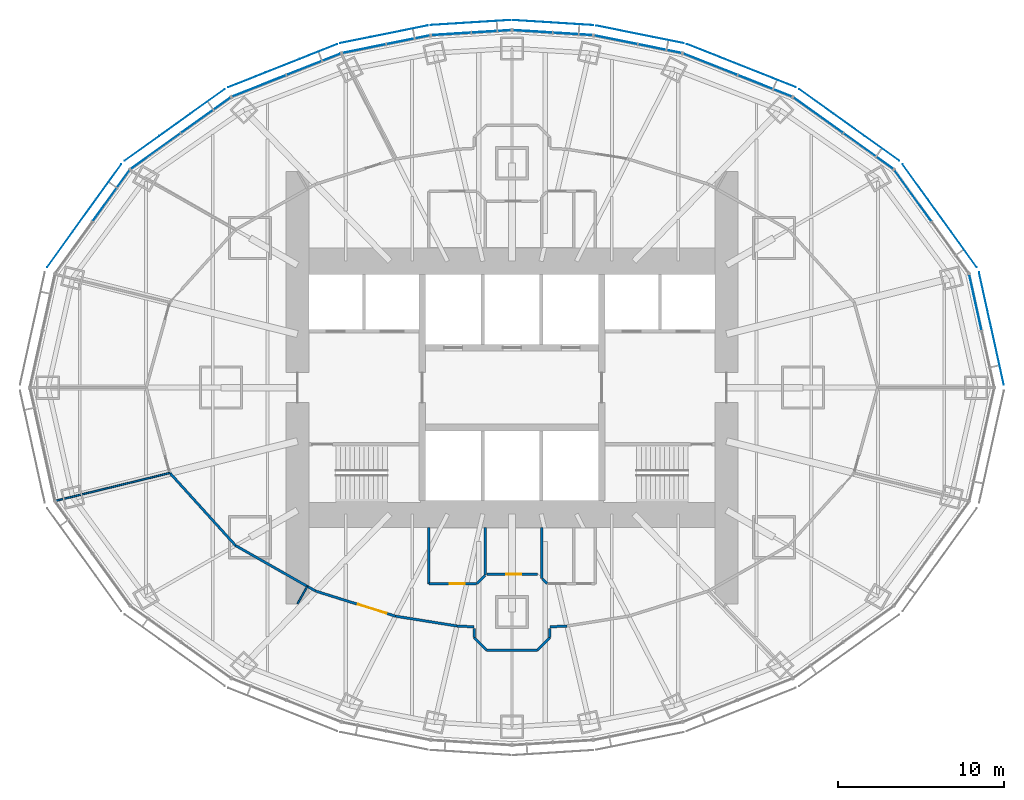
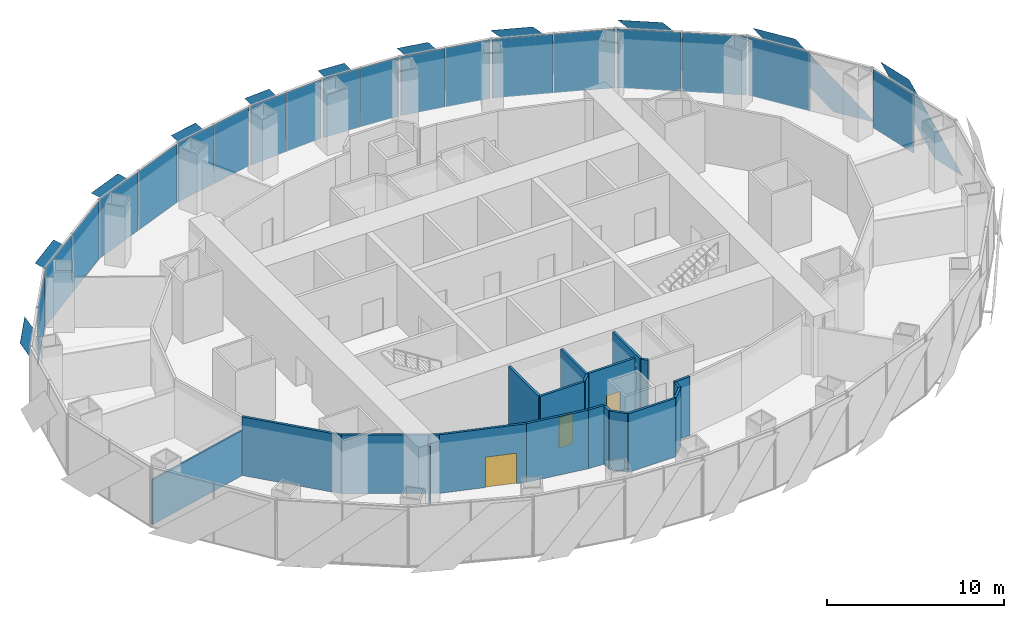
# One storey, part 10 of 17: 30 plates, 20 walls, 3 doors, 3 openings, 11 elements without a shape of their own.
"""IFC4 building model written with IfcOpenShell, lengths in metres."""

from ifc_helpers import new_model, si_unit, direction, frame, frame_2d, origin, origin_2d, place, context, subcontext, project, spatial, polyline, rectangle, outline, extrude, material, layer, layer_set, type_object, element, fill, aggregate, save


model = new_model("IFC4")

# Units and contexts
model_context = context("Model", 3, precision=1e-05, world=origin(), true_north=direction((0.0, 1.0)))
body_context = subcontext(model_context, "Body", "Model", "MODEL_VIEW")
ifc_project = project(units=[si_unit("LENGTHUNIT", "METRE"), si_unit("AREAUNIT", "SQUARE_METRE"), si_unit("VOLUMEUNIT", "CUBIC_METRE"), si_unit("PLANEANGLEUNIT", "RADIAN"), si_unit("MASSUNIT", "GRAM", prefix="KILO")], contexts=[model_context])

# Site, building, storey
site_placement = place(None, origin())
site = spatial("IfcSite", under=ifc_project, at=site_placement, CompositionType="ELEMENT")
building_placement = place(site_placement, origin())
building = spatial("IfcBuilding", under=site, at=building_placement, Name="Lantaw Convention Tower", CompositionType="ELEMENT")
storey_placement = place(building_placement, frame((0.0, 0.0, 121.60009765625)))
storey = spatial("IfcBuildingStorey", under=building, at=storey_placement, Name="L28", CompositionType="ELEMENT", Elevation=121.60009765625)

# Curtain wall, plate
ifc_material_1 = material(Name="Aluminium framed curtain wall", Category="aluminium")
curtain_wall_type = type_object("IfcCurtainWallType", Name="Office curtain wall low rise, pale aluminium", PredefinedType="USERDEFINED", material=ifc_material_1)
curtain_wall_1_placement = place(storey_placement, origin())
curtain_wall_1 = element("IfcCurtainWall", 1, at=curtain_wall_1_placement, inside=storey, type_object=curtain_wall_type, Name="Office curtain wall low rise, pale aluminium L28", ObjectType="UNITISED CURTAIN WALL", PredefinedType="USERDEFINED")
ifc_material_2 = material(Name="Clear insulating glass", Category="glass")
ifc_layer_1 = layer(ifc_material_2, 0.028076171875)
ifc_layer_set_1 = layer_set([ifc_layer_1], Name="CW-O1 panel 28")
plate_type_1 = type_object("IfcPlateType", Name="CW-O1 panel 28", PredefinedType="CURTAIN_PANEL", material=ifc_layer_set_1)
plate_1_placement = place(storey_placement, frame((27.868896484375, 5.1240234375, -0.0849609375), z_axis=(0.0, 0.0, 1.0), x_axis=(-0.215546166174, 0.9764936509, 0.0)))
plate_1 = element("IfcPlate", 2, at=plate_1_placement, type_object=plate_type_1, Name="CW-O1 panel 2.1", PredefinedType="CURTAIN_PANEL", context=body_context, shape_type="SweptSolid", body=[
    extrude(rectangle(XDim=3.41162109375, YDim=0.028076171875, at=origin_2d()), origin(), (0.0, 0.0, 1.0), 4.070068359375),
])
aggregate(curtain_wall_1, [plate_1])

curtain_wall_2_placement = place(storey_placement, origin())
curtain_wall_2 = element("IfcCurtainWall", 3, at=curtain_wall_2_placement, inside=storey, type_object=curtain_wall_type, Name="Office curtain wall low rise, pale aluminium L28", ObjectType="UNITISED CURTAIN WALL", PredefinedType="USERDEFINED")
plate_2_placement = place(storey_placement, frame((24.108154296875, 11.5439453125, -0.0849609375), z_axis=(0.0, 0.0, 1.0), x_axis=(-0.584512597221, 0.811384633629, 0.0)))
plate_2 = element("IfcPlate", 4, at=plate_2_placement, type_object=plate_type_1, Name="CW-O1 panel 2.1", PredefinedType="CURTAIN_PANEL", context=body_context, shape_type="SweptSolid", body=[
    extrude(rectangle(XDim=3.767333984375, YDim=0.028076171875, at=origin_2d()), origin(), (0.0, 0.0, 1.0), 4.070068359375),
])
aggregate(curtain_wall_2, [plate_2])

# Curtain wall, plates
curtain_wall_3_placement = place(storey_placement, origin())
curtain_wall_3 = element("IfcCurtainWall", 5, at=curtain_wall_3_placement, inside=storey, type_object=curtain_wall_type, Name="Office curtain wall low rise, pale aluminium L28", ObjectType="UNITISED CURTAIN WALL", PredefinedType="USERDEFINED")
plate_3_placement = place(storey_placement, frame((21.43408203125, 14.2236328125, -0.0849609375), z_axis=(0.0, 0.0, 1.0), x_axis=(-0.813208325995, 0.581972695693, 0.0)))
plate_3 = element("IfcPlate", 6, at=plate_3_placement, type_object=plate_type_1, Name="CW-O1 panel 1.1", PredefinedType="CURTAIN_PANEL", context=body_context, shape_type="SweptSolid", body=[
    extrude(rectangle(XDim=3.645263671875, YDim=0.028076171875, at=origin_2d()), origin(), (0.0, 0.0, 1.0), 4.070068359375),
])
plate_4_placement = place(storey_placement, frame((18.416748046875, 16.383056640625, -0.0849609375), z_axis=(0.0, 0.0, 1.0), x_axis=(-0.813208325995, 0.581972695693, 0.0)))
plate_4 = element("IfcPlate", 7, at=plate_4_placement, type_object=plate_type_1, Name="CW-O1 panel 2.1", PredefinedType="CURTAIN_PANEL", context=body_context, shape_type="SweptSolid", body=[
    extrude(rectangle(XDim=3.645263671875, YDim=0.028076171875, at=origin_2d()), origin(), (0.0, 0.0, 1.0), 4.070068359375),
])
aggregate(curtain_wall_3, [plate_3, plate_4])

curtain_wall_4_placement = place(storey_placement, origin())
curtain_wall_4 = element("IfcCurtainWall", 8, at=curtain_wall_4_placement, inside=storey, type_object=curtain_wall_type, Name="Office curtain wall low rise, pale aluminium L28", ObjectType="UNITISED CURTAIN WALL", PredefinedType="USERDEFINED")
plate_5_placement = place(storey_placement, frame((15.208251953125, 18.145263671875, -0.0849609375), z_axis=(0.0, 0.0, 1.0), x_axis=(-0.929547687544, 0.368701907483, 0.0)))
plate_5 = element("IfcPlate", 9, at=plate_5_placement, type_object=plate_type_1, Name="CW-O1 panel 1.1", PredefinedType="CURTAIN_PANEL", context=body_context, shape_type="SweptSolid", body=[
    extrude(rectangle(XDim=3.470703125, YDim=0.028076171875, at=origin_2d()), origin(), (0.0, 0.0, 1.0), 4.070068359375),
])
plate_6_placement = place(storey_placement, frame((11.921630859375, 19.448974609375, -0.0849609375), z_axis=(0.0, 0.0, 1.0), x_axis=(-0.929547687544, 0.368701907483, 0.0)))
plate_6 = element("IfcPlate", 10, at=plate_6_placement, type_object=plate_type_1, Name="CW-O1 panel 2.1", PredefinedType="CURTAIN_PANEL", context=body_context, shape_type="SweptSolid", body=[
    extrude(rectangle(XDim=3.470703125, YDim=0.028076171875, at=origin_2d()), origin(), (0.0, 0.0, 1.0), 4.070068359375),
])
aggregate(curtain_wall_4, [plate_5, plate_6])

curtain_wall_5_placement = place(storey_placement, origin())
curtain_wall_5 = element("IfcCurtainWall", 11, at=curtain_wall_5_placement, inside=storey, type_object=curtain_wall_type, Name="Office curtain wall low rise, pale aluminium L28", ObjectType="UNITISED CURTAIN WALL", PredefinedType="USERDEFINED")
plate_7_placement = place(storey_placement, frame((8.893310546875, 20.3857421875, -0.0849609375), z_axis=(0.0, 0.0, 1.0), x_axis=(-0.980301514912, 0.197506809659, 0.0)))
plate_7 = element("IfcPlate", 12, at=plate_7_placement, type_object=plate_type_1, Name="CW-O1 panel 1.1", PredefinedType="CURTAIN_PANEL", context=body_context, shape_type="SweptSolid", body=[
    extrude(rectangle(XDim=2.634033203125, YDim=0.028076171875, at=origin_2d()), origin(), (0.0, 0.0, 1.0), 4.070068359375),
])
plate_8_placement = place(storey_placement, frame((6.247314453125, 20.9189453125, -0.0849609375), z_axis=(0.0, 0.0, 1.0), x_axis=(-0.980301514912, 0.197506809659, 0.0)))
plate_8 = element("IfcPlate", 13, at=plate_8_placement, type_object=plate_type_1, Name="CW-O1 panel 2.1", PredefinedType="CURTAIN_PANEL", context=body_context, shape_type="SweptSolid", body=[
    extrude(rectangle(XDim=2.634033203125, YDim=0.028076171875, at=origin_2d()), origin(), (0.0, 0.0, 1.0), 4.070068359375),
])
aggregate(curtain_wall_5, [plate_7, plate_8])

curtain_wall_6_placement = place(storey_placement, origin())
curtain_wall_6 = element("IfcCurtainWall", 14, at=curtain_wall_6_placement, inside=storey, type_object=curtain_wall_type, Name="Office curtain wall low rise, pale aluminium L28", ObjectType="UNITISED CURTAIN WALL", PredefinedType="USERDEFINED")
plate_9_placement = place(storey_placement, frame((3.653076171875, 21.269775390625, -0.0849609375), z_axis=(0.0, 0.0, 1.0), x_axis=(-0.998022035978, 0.062865059466, 0.0)))
plate_9 = element("IfcPlate", 15, at=plate_9_placement, type_object=plate_type_1, Name="CW-O1 panel 1.1", PredefinedType="CURTAIN_PANEL", context=body_context, shape_type="SweptSolid", body=[
    extrude(rectangle(XDim=2.353515625, YDim=0.028076171875, at=origin_2d()), origin(), (0.0, 0.0, 1.0), 4.070068359375),
])
plate_10_placement = place(storey_placement, frame((1.2392578125, 21.421875, -0.0849609375), z_axis=(0.0, 0.0, 1.0), x_axis=(-0.998022035978, 0.062865059466, 0.0)))
plate_10 = element("IfcPlate", 16, at=plate_10_placement, type_object=plate_type_1, Name="CW-O1 panel 2.1", PredefinedType="CURTAIN_PANEL", context=body_context, shape_type="SweptSolid", body=[
    extrude(rectangle(XDim=2.353515625, YDim=0.028076171875, at=origin_2d()), origin(), (0.0, 0.0, 1.0), 4.070068359375),
])
aggregate(curtain_wall_6, [plate_9, plate_10])

curtain_wall_7_placement = place(storey_placement, origin())
curtain_wall_7 = element("IfcCurtainWall", 17, at=curtain_wall_7_placement, inside=storey, type_object=curtain_wall_type, Name="Office curtain wall low rise, pale aluminium L28", ObjectType="UNITISED CURTAIN WALL", PredefinedType="USERDEFINED")
plate_11_placement = place(storey_placement, frame((-1.2392578125, 21.421875, -0.0849609375), z_axis=(0.0, 0.0, 1.0), x_axis=(-0.998022035978, -0.062865059466, 0.0)))
plate_11 = element("IfcPlate", 18, at=plate_11_placement, type_object=plate_type_1, Name="CW-O1 panel 1.1", PredefinedType="CURTAIN_PANEL", context=body_context, shape_type="SweptSolid", body=[
    extrude(rectangle(XDim=2.353515625, YDim=0.028076171875, at=origin_2d()), origin(), (0.0, 0.0, 1.0), 4.070068359375),
])
plate_12_placement = place(storey_placement, frame((-3.653076171875, 21.269775390625, -0.0849609375), z_axis=(0.0, 0.0, 1.0), x_axis=(-0.998022035978, -0.062865059466, 0.0)))
plate_12 = element("IfcPlate", 19, at=plate_12_placement, type_object=plate_type_1, Name="CW-O1 panel 2.1", PredefinedType="CURTAIN_PANEL", context=body_context, shape_type="SweptSolid", body=[
    extrude(rectangle(XDim=2.353515625, YDim=0.028076171875, at=origin_2d()), origin(), (0.0, 0.0, 1.0), 4.070068359375),
])
aggregate(curtain_wall_7, [plate_11, plate_12])

curtain_wall_8_placement = place(storey_placement, origin())
curtain_wall_8 = element("IfcCurtainWall", 20, at=curtain_wall_8_placement, inside=storey, type_object=curtain_wall_type, Name="Office curtain wall low rise, pale aluminium L28", ObjectType="UNITISED CURTAIN WALL", PredefinedType="USERDEFINED")
plate_13_placement = place(storey_placement, frame((-6.247314453125, 20.9189453125, -0.0849609375), z_axis=(0.0, 0.0, 1.0), x_axis=(-0.980301514912, -0.197506809659, 0.0)))
plate_13 = element("IfcPlate", 21, at=plate_13_placement, type_object=plate_type_1, Name="CW-O1 panel 1.1", PredefinedType="CURTAIN_PANEL", context=body_context, shape_type="SweptSolid", body=[
    extrude(rectangle(XDim=2.634033203125, YDim=0.028076171875, at=origin_2d()), origin(), (0.0, 0.0, 1.0), 4.070068359375),
])
plate_14_placement = place(storey_placement, frame((-8.893310546875, 20.3857421875, -0.0849609375), z_axis=(0.0, 0.0, 1.0), x_axis=(-0.980301514912, -0.197506809659, 0.0)))
plate_14 = element("IfcPlate", 22, at=plate_14_placement, type_object=plate_type_1, Name="CW-O1 panel 2.1", PredefinedType="CURTAIN_PANEL", context=body_context, shape_type="SweptSolid", body=[
    extrude(rectangle(XDim=2.634033203125, YDim=0.028076171875, at=origin_2d()), origin(), (0.0, 0.0, 1.0), 4.070068359375),
])
aggregate(curtain_wall_8, [plate_13, plate_14])

curtain_wall_9_placement = place(storey_placement, origin())
curtain_wall_9 = element("IfcCurtainWall", 23, at=curtain_wall_9_placement, inside=storey, type_object=curtain_wall_type, Name="Office curtain wall low rise, pale aluminium L28", ObjectType="UNITISED CURTAIN WALL", PredefinedType="USERDEFINED")
plate_15_placement = place(storey_placement, frame((-11.921630859375, 19.448974609375, -0.0849609375), z_axis=(0.0, 0.0, 1.0), x_axis=(-0.929547687544, -0.368701907483, 0.0)))
plate_15 = element("IfcPlate", 24, at=plate_15_placement, type_object=plate_type_1, Name="CW-O1 panel 1.1", PredefinedType="CURTAIN_PANEL", context=body_context, shape_type="SweptSolid", body=[
    extrude(rectangle(XDim=3.470703125, YDim=0.028076171875, at=origin_2d()), origin(), (0.0, 0.0, 1.0), 4.070068359375),
])
plate_16_placement = place(storey_placement, frame((-15.208251953125, 18.145263671875, -0.0849609375), z_axis=(0.0, 0.0, 1.0), x_axis=(-0.929547687544, -0.368701907483, 0.0)))
plate_16 = element("IfcPlate", 25, at=plate_16_placement, type_object=plate_type_1, Name="CW-O1 panel 2.1", PredefinedType="CURTAIN_PANEL", context=body_context, shape_type="SweptSolid", body=[
    extrude(rectangle(XDim=3.470703125, YDim=0.028076171875, at=origin_2d()), origin(), (0.0, 0.0, 1.0), 4.070068359375),
])
aggregate(curtain_wall_9, [plate_15, plate_16])

curtain_wall_10_placement = place(storey_placement, origin())
curtain_wall_10 = element("IfcCurtainWall", 26, at=curtain_wall_10_placement, inside=storey, type_object=curtain_wall_type, Name="Office curtain wall low rise, pale aluminium L28", ObjectType="UNITISED CURTAIN WALL", PredefinedType="USERDEFINED")
plate_17_placement = place(storey_placement, frame((-18.416748046875, 16.383056640625, -0.0849609375), z_axis=(0.0, 0.0, 1.0), x_axis=(-0.813208325995, -0.581972695693, 0.0)))
plate_17 = element("IfcPlate", 27, at=plate_17_placement, type_object=plate_type_1, Name="CW-O1 panel 1.1", PredefinedType="CURTAIN_PANEL", context=body_context, shape_type="SweptSolid", body=[
    extrude(rectangle(XDim=3.645263671875, YDim=0.028076171875, at=origin_2d()), origin(), (0.0, 0.0, 1.0), 4.070068359375),
])
plate_18_placement = place(storey_placement, frame((-21.43408203125, 14.2236328125, -0.0849609375), z_axis=(0.0, 0.0, 1.0), x_axis=(-0.813208325995, -0.581972695693, 0.0)))
plate_18 = element("IfcPlate", 28, at=plate_18_placement, type_object=plate_type_1, Name="CW-O1 panel 2.1", PredefinedType="CURTAIN_PANEL", context=body_context, shape_type="SweptSolid", body=[
    extrude(rectangle(XDim=3.645263671875, YDim=0.028076171875, at=origin_2d()), origin(), (0.0, 0.0, 1.0), 4.070068359375),
])
aggregate(curtain_wall_10, [plate_17, plate_18])

# Curtain wall, plate
curtain_wall_11_placement = place(storey_placement, origin())
curtain_wall_11 = element("IfcCurtainWall", 29, at=curtain_wall_11_placement, inside=storey, type_object=curtain_wall_type, Name="Office curtain wall low rise, pale aluminium L28", ObjectType="UNITISED CURTAIN WALL", PredefinedType="USERDEFINED")
plate_19_placement = place(storey_placement, frame((-24.108154296875, 11.5439453125, -0.0849609375), z_axis=(0.0, 0.0, 1.0), x_axis=(-0.584512597221, -0.811384633629, 0.0)))
plate_19 = element("IfcPlate", 30, at=plate_19_placement, type_object=plate_type_1, Name="CW-O1 panel 1.1", PredefinedType="CURTAIN_PANEL", context=body_context, shape_type="SweptSolid", body=[
    extrude(rectangle(XDim=3.767333984375, YDim=0.028076171875, at=origin_2d()), origin(), (0.0, 0.0, 1.0), 4.070068359375),
])
aggregate(curtain_wall_11, [plate_19])

# Plates
ifc_material_3 = material(Name="Perforated aluminium sheet, pale silver finish", Category="aluminium")
ifc_layer_2 = layer(ifc_material_3, 0.006103515625)
ifc_layer_set_2 = layer_set([ifc_layer_2], Name="Perforated aluminium solar SCREEN panel")
plate_type_2 = type_object("IfcPlateType", Name="Perforated aluminium solar SCREEN panel", PredefinedType="SHEET", material=ifc_layer_set_2)
plate_20_placement = place(storey_placement, frame((29.5810546875, 0.179443359375, -0.175048828125), z_axis=(0.976497812463, 0.215527309509, 3.3329045e-05), x_axis=(-0.215527309629, 0.976497813005, 1.665e-09)))
element("IfcPlate", 31, at=plate_20_placement, inside=storey, type_object=plate_type_2, Name="Solar SCREEN panel", PredefinedType="SHEET", context=body_context, shape_type="SweptSolid", body=[
    extrude(outline(polyline([(0.0, 0.0), (2.3861843673609986, 0.0), (6.918240190546627, 4.339843740891906), (4.532108442157707, 4.339843748837556), (0.0, 0.0)])), origin(), (0.0, 0.0, -1.0), 0.006103515625),
])
plate_21_placement = place(storey_placement, frame((27.94970703125, 7.248046875, -0.175048828125), z_axis=(0.81139512159, 0.584498037099, 3.5888803e-05), x_axis=(-0.584498037475, 0.811395122112, -9.74e-10)))
element("IfcPlate", 32, at=plate_21_placement, inside=storey, type_object=plate_type_2, Name="Solar SCREEN panel", PredefinedType="SHEET", context=body_context, shape_type="SweptSolid", body=[
    extrude(outline(polyline([(0.0, 0.0), (2.628222178575422, -6.776263578034403e-21), (7.629778257969264, 4.339843760228519), (5.001754173906077, 4.339843755107391), (0.0, 0.0)])), origin(), (0.0, 0.0, -1.0), 0.006103515625),
])
plate_22_placement = place(storey_placement, frame((23.281005859375, 13.64697265625, -0.175048828125), z_axis=(0.582000183937, 0.813188653244, 1.1537794e-05), x_axis=(-0.813188653298, 0.582000183975, 0.0)))
element("IfcPlate", 33, at=plate_22_placement, inside=storey, type_object=plate_type_2, Name="Solar SCREEN panel", PredefinedType="SHEET", context=body_context, shape_type="SweptSolid", body=[
    extrude(outline(polyline([(0.0, 0.0), (2.5450183911586484, 1.6940658945086007e-21), (7.385531276904658, 4.339843750288861), (4.840512885746009, 4.339843750288861), (0.0, 0.0)])), origin(), (0.0, 0.0, -1.0), 0.006103515625),
])
plate_23_placement = place(storey_placement, frame((17.05859375, 18.063232421875, -0.175048828125), z_axis=(-0.368708915367, -0.929544907797, 1.0867661e-05), x_axis=(-0.929544907851, 0.368708915389, 7.1e-10)))
element("IfcPlate", 34, at=plate_23_placement, inside=storey, type_object=plate_type_2, Name="Solar SCREEN panel", PredefinedType="SHEET", context=body_context, shape_type="SweptSolid", body=[
    extrude(outline(polyline([(0.0, 0.0), (2.4263803793049097, 0.0), (7.036549629566982, -4.339843745261612), (4.61003232741235, -4.339843748706285), (0.0, 0.0)])), origin(), (0.0, 0.0, -1.0), 0.006103515625),
])
plate_24_placement = place(storey_placement, frame((10.318603515625, 20.716796875, -0.175048828125), z_axis=(0.197556725442, 0.980291455983, 3.9485719e-05), x_axis=(-0.980291456747, 0.197556725596, 0.0)))
element("IfcPlate", 35, at=plate_24_placement, inside=storey, type_object=plate_type_2, Name="Solar SCREEN panel", PredefinedType="SHEET", context=body_context, shape_type="SweptSolid", body=[
    extrude(outline(polyline([(0.0, 0.0), (1.8574075788555457, 1.6940658945086007e-21), (5.362987026845185, 4.339843753383173), (3.505579447989639, 4.339843753383173), (0.0, 0.0)])), origin(), (0.0, 0.0, -1.0), 0.006103515625),
])
plate_25_placement = place(storey_placement, frame((4.880615234375, 21.7998046875, -0.175048828125), z_axis=(0.062838799866, 0.998023689713, 1.755158e-06), x_axis=(-0.998023689715, 0.062838799866, -8e-12)))
element("IfcPlate", 36, at=plate_25_placement, inside=storey, type_object=plate_type_2, Name="Solar SCREEN panel", PredefinedType="SHEET", context=body_context, shape_type="SweptSolid", body=[
    extrude(outline(polyline([(0.0, 0.0), (1.6666243269452135, 2.6469779601696886e-23), (4.802214797186689, 4.339843750045478), (3.135346812114104, 4.33984375001855), (0.0, 0.0)])), origin(), (0.0, 0.0, -1.0), 0.006103515625),
])
plate_26_placement = place(storey_placement, frame((-0.087890625, 22.1015625, -0.175048828125), z_axis=(0.062838799866, -0.998023689713, 1.755158e-06), x_axis=(-0.998023689715, -0.062838799866, 8e-12)))
element("IfcPlate", 37, at=plate_26_placement, inside=storey, type_object=plate_type_2, Name="Solar SCREEN panel", PredefinedType="SHEET", context=body_context, shape_type="SweptSolid", body=[
    extrude(outline(polyline([(0.0, 0.0), (1.6668679850725854, -5.293955920339377e-23), (4.802214797256801, -4.339843749967897), (3.1355904703115876, -4.339843749994822), (0.0, 0.0)])), origin(), (0.0, 0.0, -1.0), 0.006103515625),
])
plate_27_placement = place(storey_placement, frame((-5.061279296875, 21.776123046875, -0.175048828125), z_axis=(0.197556725442, -0.980291455983, 3.9485719e-05), x_axis=(-0.980291456747, -0.197556725596, 0.0)))
element("IfcPlate", 38, at=plate_27_placement, inside=storey, type_object=plate_type_2, Name="Solar SCREEN panel", PredefinedType="SHEET", context=body_context, shape_type="SweptSolid", body=[
    extrude(outline(polyline([(0.0, 0.0), (1.8574075788555457, -1.6940658945086007e-21), (5.362987026845185, -4.339843753383173), (3.505579447989639, -4.339843753383173), (0.0, 0.0)])), origin(), (0.0, 0.0, -1.0), 0.006103515625),
])
plate_28_placement = place(storey_placement, frame((-10.517822265625, 20.65771484375, -0.175048828125), z_axis=(-0.368708915367, 0.929544907797, 1.0867661e-05), x_axis=(-0.929544907851, -0.368708915389, -7.1e-10)))
element("IfcPlate", 39, at=plate_28_placement, inside=storey, type_object=plate_type_2, Name="Solar SCREEN panel", PredefinedType="SHEET", context=body_context, shape_type="SweptSolid", body=[
    extrude(outline(polyline([(0.0, 0.0), (2.426517302154632, 1.6940658945086007e-21), (7.036549623406159, 4.339843755250667), (4.610169244101249, 4.339843751806188), (0.0, 0.0)])), origin(), (0.0, 0.0, -1.0), 0.006103515625),
])
plate_29_placement = place(storey_placement, frame((-17.275146484375, 17.9453125, -0.175048828125), z_axis=(0.582000183937, -0.813188653244, 1.1537794e-05), x_axis=(-0.813188653298, -0.582000183975, 0.0)))
element("IfcPlate", 40, at=plate_29_placement, inside=storey, type_object=plate_type_2, Name="Solar SCREEN panel", PredefinedType="SHEET", context=body_context, shape_type="SweptSolid", body=[
    extrude(outline(polyline([(0.0, 0.0), (2.5450183911586484, -1.6940658945086007e-21), (7.385531276904658, -4.339843750288861), (4.840512885746009, -4.339843750288861), (0.0, 0.0)])), origin(), (0.0, 0.0, -1.0), 0.006103515625),
])
plate_30_placement = place(storey_placement, frame((-23.489990234375, 13.438720703125, -0.175048828125), z_axis=(0.81139512159, -0.584498037099, 3.5888803e-05), x_axis=(-0.584498037475, -0.811395122112, 9.74e-10)))
element("IfcPlate", 41, at=plate_30_placement, inside=storey, type_object=plate_type_2, Name="Solar SCREEN panel", PredefinedType="SHEET", context=body_context, shape_type="SweptSolid", body=[
    extrude(outline(polyline([(0.0, 0.0), (2.6280240840631874, 6.776263578034403e-21), (7.62977826642615, -4.339843745360666), (5.001556087850728, -4.3398437504821805), (0.0, 0.0)])), origin(), (0.0, 0.0, -1.0), 0.006103515625),
])

# Walls
ifc_material_4 = material(Name="Gypsum board on steel studs, fire rated", Category="steel")
ifc_layer_3 = layer(ifc_material_4, 0.14990234375)
ifc_layer_set_3 = layer_set([ifc_layer_3], Name="Corridor wall 150 EI 60")
wall_type_1 = type_object("IfcWallType", Name="Corridor wall 150 EI 60", PredefinedType="PARTITIONING", material=ifc_layer_set_3)
wall_1_placement = place(storey_placement, frame((-20.576904296875, -5.13037109375, 0.0), z_axis=(0.0, 0.0, 1.0), x_axis=(0.671118353743, -0.741350224435, 0.0)))
element("IfcWall", 42, at=wall_1_placement, inside=storey, type_object=wall_type_1, Name="Corridor wall 150", PredefinedType="PARTITIONING", context=body_context, shape_type="SweptSolid", body=[
    extrude(rectangle(XDim=5.89208984375, YDim=0.14990234375, at=frame_2d((2.946044921875, 0.0))), origin(), (0.0, 0.0, 1.0), 4.0498046875),
])
wall_2_placement = place(storey_placement, frame((-16.62255859375, -9.49853515625, 0.0), z_axis=(0.0, 0.0, 1.0), x_axis=(0.869375991036, -0.494151177485, 0.0)))
element("IfcWall", 43, at=wall_2_placement, inside=storey, type_object=wall_type_1, Name="Corridor wall 150", PredefinedType="PARTITIONING", context=body_context, shape_type="SweptSolid", body=[
    extrude(rectangle(XDim=5.532470703125, YDim=0.14990234375, at=frame_2d((2.76611328125, 0.0))), origin(), (0.0, 0.0, 1.0), 4.0498046875),
])

# Wall, opening, door
wall_3_placement = place(storey_placement, frame((-11.812744140625, -12.232421875, 0.0), z_axis=(0.0, 0.0, 1.0), x_axis=(0.953893934057, -0.300143903101, 0.0)))
wall_3 = element("IfcWall", 44, at=wall_3_placement, inside=storey, type_object=wall_type_1, Name="Corridor wall 150", PredefinedType="PARTITIONING", context=body_context, shape_type="SweptSolid", body=[
    extrude(rectangle(XDim=5.04150390625, YDim=0.14990234375, at=frame_2d((2.520751953125, 0.0))), origin(), (0.0, 0.0, 1.0), 4.0498046875),
])
opening_1_placement = place(wall_3_placement, frame((2.671142578125, 0.0, 0.0)))
opening_1 = element("IfcOpeningElement", 45, at=opening_1_placement, cuts=wall_3, Name="Opening L28.27", PredefinedType="OPENING", context=body_context, shape_type="SweptSolid", body=[
    extrude(rectangle(XDim=1.800048828125, YDim=2.10009765625, at=frame_2d((0.89990234375, 1.050048828125))), frame((0.0, 0.0849609375, 0.0), z_axis=(0.0, -1.0, 0.0), x_axis=(1.0, 0.0, 0.0)), (0.0, 0.0, 1.0), 0.169921875),
])
ifc_material_5 = material(Name="Steel, fire rated", Category="steel")
door_type_1 = type_object("IfcDoorType", Name="Office double door 1800 FD30", OperationType="DOUBLE_DOOR_DOUBLE_SWING", PredefinedType="DOOR", material=ifc_material_5)
door_1_placement = place(opening_1_placement, origin())
door_1 = element("IfcDoor", 46, at=door_1_placement, inside=storey, type_object=door_type_1, Name="Contact-centre floor door", OperationType="DOUBLE_DOOR_DOUBLE_SWING", OverallHeight=2.10009765625, OverallWidth=1.800048828125, PredefinedType="DOOR", context=body_context, shape_type="SweptSolid", body=[
    extrude(rectangle(XDim=1.800048828125, YDim=2.10009765625, at=frame_2d((0.89990234375, 1.050048828125))), frame((0.0, 0.02490234375, 0.0), z_axis=(0.0, -1.0, 0.0), x_axis=(1.0, 0.0, 0.0)), (0.0, 0.0, 1.0), 0.050048828125),
])
fill(opening_1, door_1)

# Walls
wall_4_placement = place(storey_placement, frame((-7.003662109375, -13.74560546875, 0.0), z_axis=(0.0, 0.0, 1.0), x_axis=(0.987511396594, -0.157547585181, 0.0)))
element("IfcWall", 47, at=wall_4_placement, inside=storey, type_object=wall_type_1, Name="Corridor wall 150", PredefinedType="PARTITIONING", context=body_context, shape_type="SweptSolid", body=[
    extrude(rectangle(XDim=3.74072265625, YDim=0.14990234375, at=frame_2d((1.870361328125, 0.0))), origin(), (0.0, 0.0, 1.0), 4.0498046875),
])
for number, where, z_axis, x_axis, name in (
    (48, (-3.3095703125, -14.3349609375, 0.0), (0.0, 0.0, 1.0), (0.998761909217, -0.049745841003, 0.0), "Corridor wall 150"),
    (49, (2.294921875, -14.385498046875, 0.0), (0.0, 0.0, 1.0), (0.998761909217, 0.049745841003, 0.0), "Corridor wall 150"),
):
    element("IfcWall", number, at=place(storey_placement, frame(where, z_axis=z_axis, x_axis=x_axis)), inside=storey, type_object=wall_type_1, Name=name, PredefinedType="PARTITIONING", context=body_context, shape_type="SweptSolid", body=[
        extrude(rectangle(XDim=1.015869140625, YDim=0.14990234375, at=frame_2d((0.5078125, 0.0))), origin(), (0.0, 0.0, 1.0), 4.0498046875),
    ])
for number, where, z_axis, x_axis, name in (
    (50, (-2.284912109375, -15.0322265625, 0.0), (0.0, 0.0, 1.0), (0.0, 1.0, 0.0), "Corridor wall 150"),
    (51, (2.284912109375, -14.487060546875, 0.0), (0.0, 0.0, 1.0), (0.0, -1.0, 0.0), "Corridor wall 150"),
):
    element("IfcWall", number, at=place(storey_placement, frame(where, z_axis=z_axis, x_axis=x_axis)), inside=storey, type_object=wall_type_1, Name=name, PredefinedType="PARTITIONING", context=body_context, shape_type="SweptSolid", body=[
        extrude(rectangle(XDim=0.545166015625, YDim=0.14990234375, at=frame_2d((0.2724609375, 0.0))), origin(), (0.0, 0.0, 1.0), 4.0498046875),
    ])
wall_5_placement = place(storey_placement, frame((2.284912109375, -15.0322265625, 0.0), z_axis=(0.0, 0.0, 1.0), x_axis=(-0.707106781187, -0.707106781187, 0.0)))
element("IfcWall", 52, at=wall_5_placement, inside=storey, type_object=wall_type_1, Name="Corridor wall 150", PredefinedType="PARTITIONING", context=body_context, shape_type="SweptSolid", body=[
    extrude(rectangle(XDim=1.064453125, YDim=0.14990234375, at=frame_2d((0.5322265625, 0.0))), origin(), (0.0, 0.0, 1.0), 4.0498046875),
])
wall_6_placement = place(storey_placement, frame((1.5322265625, -15.784912109375, 0.0), z_axis=(0.0, 0.0, 1.0), x_axis=(-1.0, 0.0, 0.0)))
element("IfcWall", 53, at=wall_6_placement, inside=storey, type_object=wall_type_1, Name="Corridor wall 150", PredefinedType="PARTITIONING", context=body_context, shape_type="SweptSolid", body=[
    extrude(rectangle(XDim=3.064453125, YDim=0.14990234375, at=frame_2d((1.5322265625, 0.0))), origin(), (0.0, 0.0, 1.0), 4.0498046875),
])
wall_7_placement = place(storey_placement, frame((-1.5322265625, -15.784912109375, 0.0), z_axis=(0.0, 0.0, 1.0), x_axis=(-0.707106781187, 0.707106781187, 0.0)))
element("IfcWall", 54, at=wall_7_placement, inside=storey, type_object=wall_type_1, Name="Corridor wall 150", PredefinedType="PARTITIONING", context=body_context, shape_type="SweptSolid", body=[
    extrude(rectangle(XDim=1.064453125, YDim=0.14990234375, at=frame_2d((0.5322265625, 0.0))), origin(), (0.0, 0.0, 1.0), 4.0498046875),
])
ifc_material_6 = material(Name="Gypsum board on steel studs, acoustic", Category="steel")
ifc_layer_4 = layer(ifc_material_6, 0.10009765625)
ifc_layer_set_4 = layer_set([ifc_layer_4], Name="Office partition 100")
wall_type_2 = type_object("IfcWallType", Name="Office partition 100", PredefinedType="PARTITIONING", material=ifc_layer_set_4)
wall_8_placement = place(storey_placement, frame((-27.440673828125, -6.808837890625, 0.0), z_axis=(0.0, 0.0, 1.0), x_axis=(0.971377572955, 0.237540755996, 0.0)))
element("IfcWall", 55, at=wall_8_placement, inside=storey, type_object=wall_type_2, Name="Office partition 100", PredefinedType="PARTITIONING", context=body_context, shape_type="SweptSolid", body=[
    extrude(rectangle(XDim=7.06591796875, YDim=0.10009765625, at=frame_2d((3.532958984375, 0.0))), origin(), (0.0, 0.0, 1.0), 3.112548828125),
])
wall_9_placement = place(storey_placement, frame((-12.89990234375, -13.0, 0.0), z_axis=(0.0, 0.0, 1.0), x_axis=(0.494173075358, 0.869363543974, 0.0)))
element("IfcWall", 56, at=wall_9_placement, inside=storey, type_object=wall_type_2, Name="Office partition 100", PredefinedType="PARTITIONING", context=body_context, shape_type="SweptSolid", body=[
    extrude(rectangle(XDim=1.204345703125, YDim=0.10009765625, at=frame_2d((0.60205078125, 0.0))), origin(), (0.0, 0.0, 1.0), 4.0498046875),
])
ifc_material_7 = material(Name="Concrete blockwork", Category="masonry")
ifc_layer_5 = layer(ifc_material_7, 0.14990234375)
ifc_layer_set_5 = layer_set([ifc_layer_5], Name="WC wall 150")
wall_type_3 = type_object("IfcWallType", Name="WC wall 150", PredefinedType="SOLIDWALL", material=ifc_layer_set_5)
wall_10_placement = place(storey_placement, frame((-5.0, -8.39990234375, 0.0), z_axis=(0.0, 0.0, 1.0), x_axis=(0.0, -1.0, 0.0)))
element("IfcWall", 57, at=wall_10_placement, inside=storey, type_object=wall_type_3, Name="WC wall 150", PredefinedType="SOLIDWALL", context=body_context, shape_type="SweptSolid", body=[
    extrude(rectangle(XDim=3.400146484375, YDim=0.14990234375, at=frame_2d((1.7001953125, 0.0))), origin(), (0.0, 0.0, 1.0), 4.0498046875),
])

# Wall, opening, door
wall_11_placement = place(storey_placement, frame((-5.0, -11.800048828125, 0.0), z_axis=(0.0, 0.0, 1.0), x_axis=(1.0, 0.0, 0.0)))
wall_11 = element("IfcWall", 58, at=wall_11_placement, inside=storey, type_object=wall_type_3, Name="WC wall 150", PredefinedType="SOLIDWALL", context=body_context, shape_type="SweptSolid", body=[
    extrude(rectangle(XDim=2.86865234375, YDim=0.14990234375, at=frame_2d((1.434326171875, 0.0))), origin(), (0.0, 0.0, 1.0), 4.0498046875),
])
opening_2_placement = place(wall_11_placement, frame((1.25, 0.0, 0.0)))
opening_2 = element("IfcOpeningElement", 59, at=opening_2_placement, cuts=wall_11, Name="Opening L28.18", PredefinedType="OPENING", context=body_context, shape_type="SweptSolid", body=[
    extrude(rectangle(XDim=0.89990234375, YDim=2.10009765625, at=frame_2d((0.449951171875, 1.050048828125))), frame((0.0, 0.0849609375, 0.0), z_axis=(0.0, -1.0, 0.0), x_axis=(1.0, 0.0, 0.0)), (0.0, 0.0, 1.0), 0.169921875),
])
ifc_material_8 = material(Name="Timber", Category="wood")
door_type_2 = type_object("IfcDoorType", Name="WC door 900", OperationType="SINGLE_SWING_LEFT", PredefinedType="DOOR", material=ifc_material_8)
door_2_placement = place(opening_2_placement, origin())
door_2 = element("IfcDoor", 60, at=door_2_placement, inside=storey, type_object=door_type_2, Name="Female WC door", OperationType="SINGLE_SWING_LEFT", OverallHeight=2.10009765625, OverallWidth=0.89990234375, PredefinedType="DOOR", context=body_context, shape_type="SweptSolid", body=[
    extrude(rectangle(XDim=0.89990234375, YDim=2.10009765625, at=frame_2d((0.449951171875, 1.050048828125))), frame((0.0, 0.02490234375, 0.0), z_axis=(0.0, -1.0, 0.0), x_axis=(1.0, 0.0, 0.0)), (0.0, 0.0, 1.0), 0.050048828125),
])
fill(opening_2, door_2)

# Walls
wall_12_placement = place(storey_placement, frame((-1.60009765625, -8.39990234375, 0.0), z_axis=(0.0, 0.0, 1.0), x_axis=(0.0, -1.0, 0.0)))
element("IfcWall", 61, at=wall_12_placement, inside=storey, type_object=wall_type_3, Name="WC wall 150", PredefinedType="SOLIDWALL", context=body_context, shape_type="SweptSolid", body=[
    extrude(rectangle(XDim=2.86865234375, YDim=0.14990234375, at=frame_2d((1.434326171875, 0.0))), origin(), (0.0, 0.0, 1.0), 4.0498046875),
])
wall_13_placement = place(storey_placement, frame((1.800048828125, -8.39990234375, 0.0), z_axis=(0.0, 0.0, 1.0), x_axis=(0.0, -1.0, 0.0)))
element("IfcWall", 62, at=wall_13_placement, inside=storey, type_object=wall_type_3, Name="WC wall 150", PredefinedType="SOLIDWALL", context=body_context, shape_type="SweptSolid", body=[
    extrude(rectangle(XDim=3.068603515625, YDim=0.14990234375, at=frame_2d((1.5341796875, 0.0))), origin(), (0.0, 0.0, 1.0), 4.0498046875),
])
wall_14_placement = place(storey_placement, frame((-2.101318359375, -11.7841796875, 0.0), z_axis=(0.0, 0.0, 1.0), x_axis=(0.706928959799, 0.707284557867, 0.0)))
element("IfcWall", 63, at=wall_14_placement, inside=storey, type_object=wall_type_3, Name="WC wall 150", PredefinedType="SOLIDWALL", context=body_context, shape_type="SweptSolid", body=[
    extrude(rectangle(XDim=0.6865234375, YDim=0.14990234375, at=frame_2d((0.34326171875, 0.0))), origin(), (0.0, 0.0, 1.0), 4.0498046875),
])

# Wall, opening, door
wall_15_placement = place(storey_placement, frame((-1.4951171875, -11.215087890625, 0.0), z_axis=(0.0, 0.0, 1.0), x_axis=(1.0, 0.0, 0.0)))
wall_15 = element("IfcWall", 64, at=wall_15_placement, inside=storey, type_object=wall_type_3, Name="WC wall 150", PredefinedType="SOLIDWALL", context=body_context, shape_type="SweptSolid", body=[
    extrude(rectangle(XDim=3.02734375, YDim=0.14990234375, at=frame_2d((1.513671875, 0.0))), origin(), (0.0, 0.0, 1.0), 4.0498046875),
])
opening_3_placement = place(wall_15_placement, frame((1.14990234375, 0.0, 0.0)))
opening_3 = element("IfcOpeningElement", 65, at=opening_3_placement, cuts=wall_15, Name="Opening L28.19", PredefinedType="OPENING", context=body_context, shape_type="SweptSolid", body=[
    extrude(rectangle(XDim=0.89990234375, YDim=2.10009765625, at=frame_2d((0.449951171875, 1.050048828125))), frame((0.0, 0.0849609375, 0.0), z_axis=(0.0, -1.0, 0.0), x_axis=(1.0, 0.0, 0.0)), (0.0, 0.0, 1.0), 0.169921875),
])
door_3_placement = place(opening_3_placement, origin())
door_3 = element("IfcDoor", 66, at=door_3_placement, inside=storey, type_object=door_type_2, Name="Male WC door", OperationType="SINGLE_SWING_LEFT", OverallHeight=2.10009765625, OverallWidth=0.89990234375, PredefinedType="DOOR", context=body_context, shape_type="SweptSolid", body=[
    extrude(rectangle(XDim=0.89990234375, YDim=2.10009765625, at=frame_2d((0.449951171875, 1.050048828125))), frame((0.0, 0.02490234375, 0.0), z_axis=(0.0, -1.0, 0.0), x_axis=(1.0, 0.0, 0.0)), (0.0, 0.0, 1.0), 0.050048828125),
])
fill(opening_3, door_3)

# Wall
wall_16_placement = place(storey_placement, frame((1.81591796875, -11.49853515625, 0.0), z_axis=(0.0, 0.0, 1.0), x_axis=(0.706804405012, -0.707409028113, 0.0)))
element("IfcWall", 67, at=wall_16_placement, inside=storey, type_object=wall_type_3, Name="WC wall 150", PredefinedType="SOLIDWALL", context=body_context, shape_type="SweptSolid", body=[
    extrude(rectangle(XDim=0.40380859375, YDim=0.14990234375, at=frame_2d((0.201904296875, 0.0))), origin(), (0.0, 0.0, 1.0), 4.0498046875),
])

save(model, "model.ifc")
